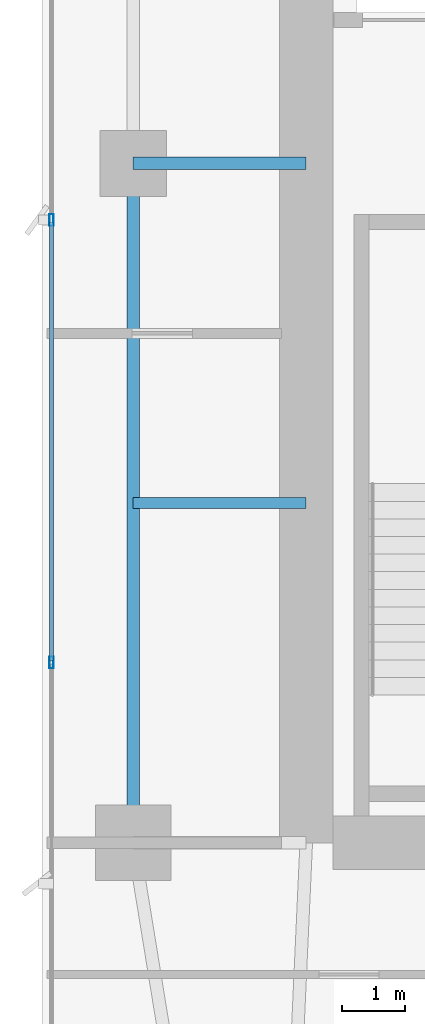
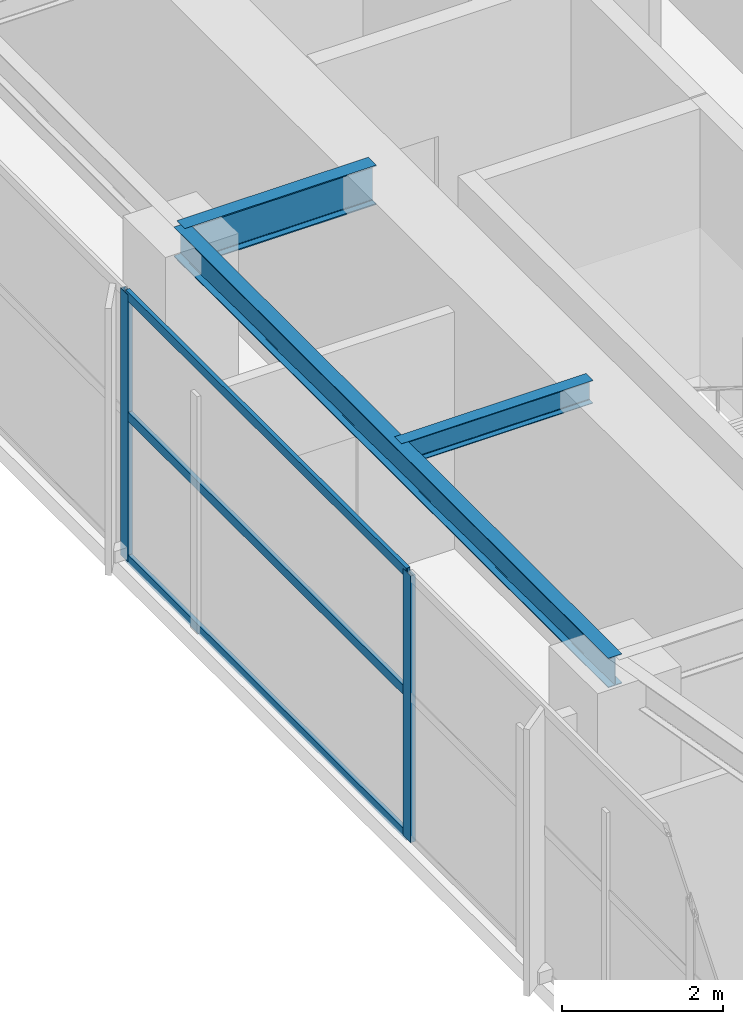
# One storey, part 9 of 30: 5 members, 3 beams, 1 element without a shape of its own.
"""IFC4 building model written with IfcOpenShell, lengths in metres."""

from ifc_helpers import new_model, si_unit, direction, frame, origin, origin_2d, place, context, subcontext, project, spatial, hollow_rectangle, i_section, extrude, material, layer, layer_set, material_profile, profile_set, type_object, element, aggregate, save


model = new_model("IFC4")

# Units and contexts
model_context = context("Model", 3, precision=1e-05, world=origin(), true_north=direction((0.0, 1.0)))
body_context = subcontext(model_context, "Body", "Model", "MODEL_VIEW")
ifc_project = project(units=[si_unit("LENGTHUNIT", "METRE"), si_unit("AREAUNIT", "SQUARE_METRE"), si_unit("VOLUMEUNIT", "CUBIC_METRE"), si_unit("PLANEANGLEUNIT", "RADIAN"), si_unit("MASSUNIT", "GRAM", prefix="KILO")], contexts=[model_context])

# Site, building, storey
site_placement = place(None, origin())
site = spatial("IfcSite", under=ifc_project, at=site_placement, CompositionType="ELEMENT")
building_placement = place(site_placement, origin())
building = spatial("IfcBuilding", under=site, at=building_placement, Name="Calvorn Quay Hotel", CompositionType="ELEMENT")
storey_placement = place(building_placement, frame((0.0, 0.0, 195.10009765625)))
storey = spatial("IfcBuildingStorey", under=building, at=storey_placement, Name="L48", CompositionType="ELEMENT", Elevation=195.10009765625)

# Beams
ifc_material_1 = material(Name="Steel Q355B", Category="steel")
ifc_material_profile_1 = material_profile(ifc_material_1, i_section(OverallWidth=0.199951171875, OverallDepth=0.60009765625, WebThickness=0.010986328125, FlangeThickness=0.01708984375, FilletRadius=0.01806640625, at=origin_2d()), Name="HN600x200x11x17")
ifc_profile_set_1 = profile_set([ifc_material_profile_1], Name="Steel Q355B")
beam_type_1 = type_object("IfcBeamType", Name="BM-GIRD-TYP", PredefinedType="BEAM", material=ifc_profile_set_1)
beam_1_placement = place(storey_placement, frame((1.449951171875, 27.60009765625, 3.75), z_axis=(1.0, 0.0, 0.0), x_axis=(0.0, 1.0, 0.0)))
element("IfcBeam", 1, at=beam_1_placement, inside=storey, type_object=beam_type_1, Name="Beam BG-L48-W2", PredefinedType="BEAM", context=body_context, shape_type="SweptSolid", body=[
    extrude(i_section(OverallWidth=0.199951171875, OverallDepth=0.60009765625, WebThickness=0.010986328125, FlangeThickness=0.01708984375, FilletRadius=0.01806640625, at=origin_2d()), origin(), (0.0, 0.0, 1.0), 2.75),
])
ifc_material_2 = material(Name="Steel Q355B", Category="steel")
ifc_material_profile_2 = material_profile(ifc_material_2, i_section(OverallWidth=0.175048828125, OverallDepth=0.35009765625, WebThickness=0.007080078125, FlangeThickness=0.010986328125, FilletRadius=0.013916015625, at=origin_2d()), Name="HN350x175x7x11")
ifc_profile_set_2 = profile_set([ifc_material_profile_2], Name="Steel Q355B")
beam_type_2 = type_object("IfcBeamType", Name="BM-JOIST-SEC", PredefinedType="JOIST", material=ifc_profile_set_2)
beam_2_placement = place(storey_placement, frame((1.449951171875, 22.199951171875, 3.875), z_axis=(1.0, 0.0, 0.0), x_axis=(0.0, 1.0, 0.0)))
element("IfcBeam", 2, at=beam_2_placement, inside=storey, type_object=beam_type_2, Name="Beam BJ-L48-W3", PredefinedType="JOIST", context=body_context, shape_type="SweptSolid", body=[
    extrude(i_section(OverallWidth=0.175048828125, OverallDepth=0.35009765625, WebThickness=0.007080078125, FlangeThickness=0.010986328125, FilletRadius=0.013916015625, at=origin_2d()), origin(), (0.0, 0.0, 1.0), 2.75),
])
ifc_material_3 = material(Name="Steel Q355B", Category="steel")
ifc_material_profile_3 = material_profile(ifc_material_3, i_section(OverallWidth=0.199951171875, OverallDepth=0.449951171875, WebThickness=0.009033203125, FlangeThickness=0.013916015625, FilletRadius=0.01611328125, at=origin_2d()), Name="HN450x200x9x14")
ifc_profile_set_3 = profile_set([ifc_material_profile_3], Name="Steel Q355B")
beam_type_3 = type_object("IfcBeamType", Name="BM-SPANDREL-Z3", PredefinedType="SPANDREL", material=ifc_profile_set_3)
beam_3_placement = place(storey_placement, frame((1.449951171875, 16.800048828125, 3.824951171875), z_axis=(0.0, 1.0, 0.0), x_axis=(-1.0, 0.0, 0.0)))
element("IfcBeam", 3, at=beam_3_placement, inside=storey, type_object=beam_type_3, Name="Beam BSP-L48-W2", PredefinedType="SPANDREL", context=body_context, shape_type="SweptSolid", body=[
    extrude(i_section(OverallWidth=0.199951171875, OverallDepth=0.449951171875, WebThickness=0.009033203125, FlangeThickness=0.013916015625, FilletRadius=0.01611328125, at=origin_2d()), origin(), (0.0, 0.0, 1.0), 10.800048828125),
])

# Curtain wall, members
ifc_material_4 = material(Name="Champagne Bronze Anodised Aluminium and Low-E Glass", Category="aluminium")
ifc_layer = layer(ifc_material_4, 0.219970703125)
ifc_layer_set = layer_set([ifc_layer], Name="CW-SYS-Z3")
curtain_wall_type = type_object("IfcCurtainWallType", Name="CW-SYS-Z3", PredefinedType="NOTDEFINED", material=ifc_layer_set)
curtain_wall_placement = place(storey_placement, origin())
curtain_wall = element("IfcCurtainWall", 4, at=curtain_wall_placement, inside=storey, type_object=curtain_wall_type, Name="Tower West Curtain Wall (L48)", PredefinedType="NOTDEFINED")
ifc_material_5 = material(Name="Champagne Bronze Anodised Aluminium 6063-T6", Category="aluminium")
ifc_material_profile_4 = material_profile(ifc_material_5, hollow_rectangle(XDim=0.068115234375, YDim=0.18505859375, WallThickness=0.00390625, at=origin_2d()), Name="ALU-M185x68x4")
ifc_profile_set_4 = profile_set([ifc_material_profile_4], Name="Champagne Bronze Anodised Aluminium 6063-T6")
member_type_1 = type_object("IfcMemberType", Name="CW-SYS-Z3-MUL", PredefinedType="MULLION", material=ifc_profile_set_4)
member_1_placement = place(storey_placement, frame((0.14990234375, 19.666748046875, 0.0), z_axis=(0.0, 0.0, 1.0), x_axis=(-1.0, 0.0, 0.0)))
member_1 = element("IfcMember", 5, at=member_1_placement, type_object=member_type_1, Name="CW-L48-W mullion 3", PredefinedType="MULLION", context=body_context, shape_type="SweptSolid", body=[
    extrude(hollow_rectangle(XDim=0.068115234375, YDim=0.18505859375, WallThickness=0.00390625, at=origin_2d()), origin(), (0.0, 0.0, 1.0), 4.0498046875),
])
member_2_placement = place(storey_placement, frame((0.14990234375, 26.699951171875, 0.0), z_axis=(0.0, 0.0, 1.0), x_axis=(-1.0, 0.0, 0.0)))
member_2 = element("IfcMember", 6, at=member_2_placement, type_object=member_type_1, Name="CW-L48-W mullion 4", PredefinedType="MULLION", context=body_context, shape_type="SweptSolid", body=[
    extrude(hollow_rectangle(XDim=0.068115234375, YDim=0.18505859375, WallThickness=0.00390625, at=origin_2d()), origin(), (0.0, 0.0, 1.0), 4.0498046875),
])
ifc_material_6 = material(Name="Champagne Bronze Anodised Aluminium 6063-T6", Category="aluminium")
ifc_material_profile_5 = material_profile(ifc_material_6, hollow_rectangle(XDim=0.05810546875, YDim=0.139892578125, WallThickness=0.003173828125, at=origin_2d()), Name="ALU-T140x58x3.2")
ifc_profile_set_5 = profile_set([ifc_material_profile_5], Name="Champagne Bronze Anodised Aluminium 6063-T6")
member_type_2 = type_object("IfcMemberType", Name="CW-SYS-Z3-TRN", PredefinedType="USERDEFINED", material=ifc_profile_set_5)
member_3_placement = place(storey_placement, frame((0.14990234375, 19.69677734375, 0.02978515625), z_axis=(0.0, 1.0, 0.0), x_axis=(-1.0, 0.0, 0.0)))
member_3 = element("IfcMember", 7, at=member_3_placement, type_object=member_type_2, Name="CW-L48-W transom 3.1", ObjectType="TRANSOM", PredefinedType="USERDEFINED", context=body_context, shape_type="SweptSolid", body=[
    extrude(hollow_rectangle(XDim=0.05810546875, YDim=0.139892578125, WallThickness=0.003173828125, at=origin_2d()), origin(), (0.0, 0.0, 1.0), 6.97314453125),
])
member_4_placement = place(storey_placement, frame((0.14990234375, 19.69677734375, 2.199951171875), z_axis=(0.0, 1.0, 0.0), x_axis=(-1.0, 0.0, 0.0)))
member_4 = element("IfcMember", 8, at=member_4_placement, type_object=member_type_2, Name="CW-L48-W transom 3.2", ObjectType="TRANSOM", PredefinedType="USERDEFINED", context=body_context, shape_type="SweptSolid", body=[
    extrude(hollow_rectangle(XDim=0.05810546875, YDim=0.139892578125, WallThickness=0.003173828125, at=origin_2d()), origin(), (0.0, 0.0, 1.0), 6.97314453125),
])
member_5_placement = place(storey_placement, frame((0.14990234375, 19.69677734375, 4.02001953125), z_axis=(0.0, 1.0, 0.0), x_axis=(-1.0, 0.0, 0.0)))
member_5 = element("IfcMember", 9, at=member_5_placement, type_object=member_type_2, Name="CW-L48-W transom 3.3", ObjectType="TRANSOM", PredefinedType="USERDEFINED", context=body_context, shape_type="SweptSolid", body=[
    extrude(hollow_rectangle(XDim=0.05810546875, YDim=0.139892578125, WallThickness=0.003173828125, at=origin_2d()), origin(), (0.0, 0.0, 1.0), 6.97314453125),
])
aggregate(curtain_wall, [member_1, member_2, member_3, member_4, member_5])

save(model, "model.ifc")
